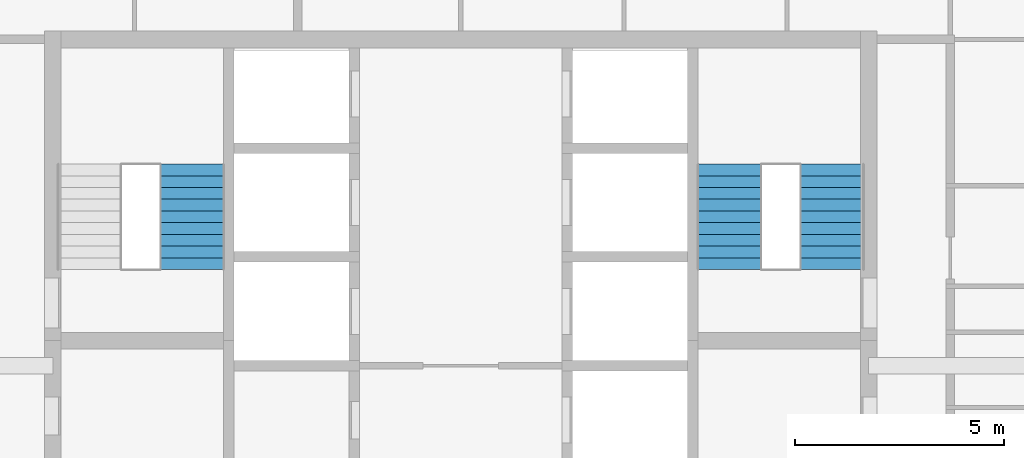
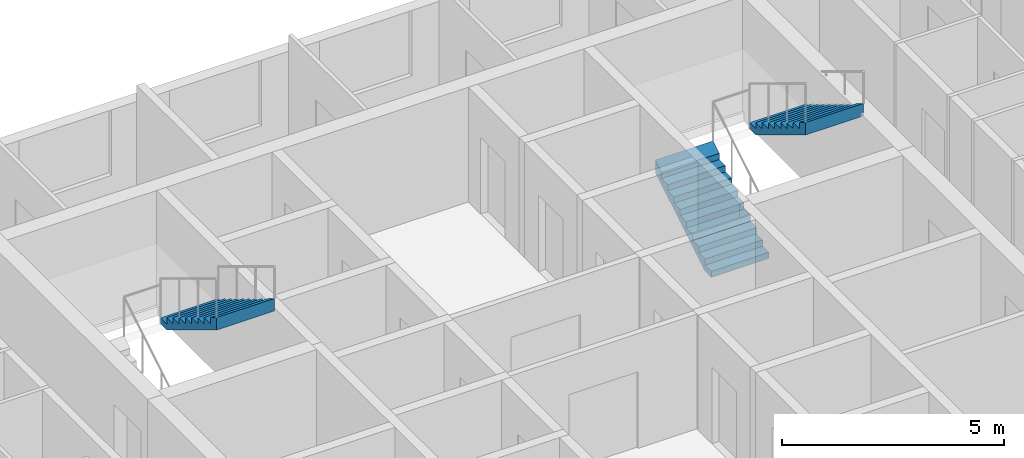
# One storey, part 14 of 17: 3 stair flights, 2 elements without a shape of their own.
"""IFC4 building model written with IfcOpenShell, lengths in metres."""

from ifc_helpers import new_model, si_unit, direction, frame, origin, place, context, subcontext, project, spatial, triangles, material, type_object, element, aggregate, save


model = new_model("IFC4")

# Units and contexts
model_context = context("Model", 3, precision=1e-05, world=origin(), true_north=direction((0.0, 1.0)))
body_context = subcontext(model_context, "Body", "Model", "MODEL_VIEW")
ifc_project = project(units=[si_unit("LENGTHUNIT", "METRE"), si_unit("AREAUNIT", "SQUARE_METRE"), si_unit("VOLUMEUNIT", "CUBIC_METRE"), si_unit("PLANEANGLEUNIT", "RADIAN"), si_unit("MASSUNIT", "GRAM", prefix="KILO")], contexts=[model_context])

# Site, building, storey
site_placement = place(None, origin())
site = spatial("IfcSite", under=ifc_project, at=site_placement, CompositionType="ELEMENT")
building_placement = place(site_placement, origin())
building = spatial("IfcBuilding", under=site, at=building_placement, Name="Ludao Terraces", CompositionType="ELEMENT")
storey_placement = place(building_placement, frame((0.0, 0.0, 210.89990234375)))
storey = spatial("IfcBuildingStorey", under=building, at=storey_placement, Name="L57", CompositionType="ELEMENT", Elevation=210.89990234375)

# Stair, stair flight
ifc_material = material(Name="Concrete C40", Category="concrete")
stair_type = type_object("IfcStairType", Name="INT Stair", PredefinedType="HALF_TURN_STAIR", material=ifc_material)
stair_1_placement = place(storey_placement, origin())
stair_1 = element("IfcStair", 1, at=stair_1_placement, inside=storey, type_object=stair_type, Name="EXIT STAIR 1", PredefinedType="HALF_TURN_STAIR")
stair_flight_type = type_object("IfcStairFlightType", Name="INT Stair flight", PredefinedType="STRAIGHT", material=ifc_material)
stair_flight_1_placement = place(storey_placement, frame((78.574951171875, 81.52001953125, 1.7001953125), z_axis=(0.0, 0.0, 1.0), x_axis=(0.0, -1.0, 0.0)))
stair_flight_1 = element("IfcStairFlight", 2, at=stair_flight_1_placement, type_object=stair_flight_type, Name="ST1 flight 2", NumberOfRisers=10, NumberOfTreads=9, PredefinedType="STRAIGHT", RiserHeight=0.17, TreadLength=0.28, context=body_context, shape_type="Tessellation", body=[
    triangles([(0.0, -0.75, 0.0), (0.0, -0.5, 0.0), (0.0, -0.25, 0.0), (0.0, 0.0, 0.0), (0.0, 0.25, 0.0), (0.0, 0.5, 0.0), (0.0, 0.75, 0.0), (0.0, -0.75, 0.169921875), (0.0, -0.5, 0.169921875), (0.0, -0.25, 0.169921875), (0.0, 0.0, 0.169921875), (0.0, 0.25, 0.169921875), (0.0, 0.5, 0.169921875), (0.0, 0.75, 0.169921875), (0.280029296875, -0.75, 0.169921875), (0.280029296875, -0.5, 0.169921875), (0.280029296875, -0.25, 0.169921875), (0.280029296875, 0.0, 0.169921875), (0.280029296875, 0.25, 0.169921875), (0.280029296875, 0.5, 0.169921875), (0.280029296875, 0.75, 0.169921875), (0.280029296875, -0.75, 0.340087890625), (0.280029296875, -0.5, 0.340087890625), (0.280029296875, -0.25, 0.340087890625), (0.280029296875, 0.0, 0.340087890625), (0.280029296875, 0.25, 0.340087890625), (0.280029296875, 0.5, 0.340087890625), (0.280029296875, 0.75, 0.340087890625), (0.56005859375, -0.75, 0.340087890625), (0.56005859375, -0.5, 0.340087890625), (0.56005859375, -0.25, 0.340087890625), (0.56005859375, 0.0, 0.340087890625), (0.56005859375, 0.25, 0.340087890625), (0.56005859375, 0.5, 0.340087890625), (0.56005859375, 0.75, 0.340087890625), (0.56005859375, -0.75, 0.510009765625), (0.56005859375, -0.5, 0.510009765625), (0.56005859375, -0.25, 0.510009765625), (0.56005859375, 0.0, 0.510009765625), (0.56005859375, 0.25, 0.510009765625), (0.56005859375, 0.5, 0.510009765625), (0.56005859375, 0.75, 0.510009765625), (0.840087890625, -0.75, 0.510009765625), (0.840087890625, -0.5, 0.510009765625), (0.840087890625, -0.25, 0.510009765625), (0.840087890625, 0.0, 0.510009765625), (0.840087890625, 0.25, 0.510009765625), (0.840087890625, 0.5, 0.510009765625), (0.840087890625, 0.75, 0.510009765625), (0.840087890625, -0.75, 0.679931640625), (0.840087890625, -0.5, 0.679931640625), (0.840087890625, -0.25, 0.679931640625), (0.840087890625, 0.0, 0.679931640625), (0.840087890625, 0.25, 0.679931640625), (0.840087890625, 0.5, 0.679931640625), (0.840087890625, 0.75, 0.679931640625), (1.1201171875, -0.75, 0.679931640625), (1.1201171875, -0.5, 0.679931640625), (1.1201171875, -0.25, 0.679931640625), (1.1201171875, 0.0, 0.679931640625), (1.1201171875, 0.25, 0.679931640625), (1.1201171875, 0.5, 0.679931640625), (1.1201171875, 0.75, 0.679931640625), (1.1201171875, -0.75, 0.85009765625), (1.1201171875, -0.5, 0.85009765625), (1.1201171875, -0.25, 0.85009765625), (1.1201171875, 0.0, 0.85009765625), (1.1201171875, 0.25, 0.85009765625), (1.1201171875, 0.5, 0.85009765625), (1.1201171875, 0.75, 0.85009765625), (1.39990234375, -0.75, 0.85009765625), (1.39990234375, -0.5, 0.85009765625), (1.39990234375, -0.25, 0.85009765625), (1.39990234375, 0.0, 0.85009765625), (1.39990234375, 0.25, 0.85009765625), (1.39990234375, 0.5, 0.85009765625), (1.39990234375, 0.75, 0.85009765625), (1.39990234375, -0.75, 1.02001953125), (1.39990234375, -0.5, 1.02001953125), (1.39990234375, -0.25, 1.02001953125), (1.39990234375, 0.0, 1.02001953125), (1.39990234375, 0.25, 1.02001953125), (1.39990234375, 0.5, 1.02001953125), (1.39990234375, 0.75, 1.02001953125), (1.679931640625, -0.75, 1.02001953125), (1.679931640625, -0.5, 1.02001953125), (1.679931640625, -0.25, 1.02001953125), (1.679931640625, 0.0, 1.02001953125), (1.679931640625, 0.25, 1.02001953125), (1.679931640625, 0.5, 1.02001953125), (1.679931640625, 0.75, 1.02001953125), (1.679931640625, -0.75, 1.18994140625), (1.679931640625, -0.5, 1.18994140625), (1.679931640625, -0.25, 1.18994140625), (1.679931640625, 0.0, 1.18994140625), (1.679931640625, 0.25, 1.18994140625), (1.679931640625, 0.5, 1.18994140625), (1.679931640625, 0.75, 1.18994140625), (1.9599609375, -0.75, 1.18994140625), (1.9599609375, -0.5, 1.18994140625), (1.9599609375, -0.25, 1.18994140625), (1.9599609375, 0.0, 1.18994140625), (1.9599609375, 0.25, 1.18994140625), (1.9599609375, 0.5, 1.18994140625), (1.9599609375, 0.75, 1.18994140625), (1.9599609375, -0.75, 1.360107421875), (1.9599609375, -0.5, 1.360107421875), (1.9599609375, -0.25, 1.360107421875), (1.9599609375, 0.0, 1.360107421875), (1.9599609375, 0.25, 1.360107421875), (1.9599609375, 0.5, 1.360107421875), (1.9599609375, 0.75, 1.360107421875), (2.239990234375, -0.75, 1.360107421875), (2.239990234375, -0.5, 1.360107421875), (2.239990234375, -0.25, 1.360107421875), (2.239990234375, 0.0, 1.360107421875), (2.239990234375, 0.25, 1.360107421875), (2.239990234375, 0.5, 1.360107421875), (2.239990234375, 0.75, 1.360107421875), (2.239990234375, -0.75, 1.530029296875), (2.239990234375, -0.5, 1.530029296875), (2.239990234375, -0.25, 1.530029296875), (2.239990234375, 0.0, 1.530029296875), (2.239990234375, 0.25, 1.530029296875), (2.239990234375, 0.5, 1.530029296875), (2.239990234375, 0.75, 1.530029296875), (2.52001953125, -0.75, 1.699951171875), (2.52001953125, -0.5, 1.699951171875), (2.52001953125, -0.25, 1.699951171875), (2.52001953125, 0.0, 1.699951171875), (2.52001953125, 0.25, 1.699951171875), (2.52001953125, 0.5, 1.699951171875), (2.52001953125, 0.75, 1.699951171875), (2.52001953125, -0.75, 1.354736328125), (2.52001953125, -0.5, 1.354736328125), (2.52001953125, -0.25, 1.354736328125), (2.52001953125, 0.0, 1.354736328125), (2.52001953125, 0.25, 1.354736328125), (2.52001953125, 0.5, 1.354736328125), (2.52001953125, 0.75, 1.354736328125), (0.288818359375, -0.75, 0.0), (0.288818359375, -0.5, 0.0), (0.288818359375, -0.25, 0.0), (0.288818359375, 0.0, 0.0), (0.288818359375, 0.25, 0.0), (0.288818359375, 0.5, 0.0), (0.288818359375, 0.75, 0.0)], [[1, 141, 134], [7, 140, 147], [134, 127, 120], [140, 126, 133], [134, 120, 113], [140, 119, 126], [134, 113, 106], [140, 112, 119], [134, 106, 99], [140, 105, 112], [99, 92, 85], [105, 91, 98], [134, 99, 85], [140, 91, 105], [85, 78, 71], [91, 77, 84], [134, 85, 71], [140, 77, 91], [71, 64, 57], [77, 63, 70], [134, 71, 57], [140, 63, 77], [57, 50, 43], [63, 49, 56], [134, 57, 43], [140, 49, 63], [43, 36, 29], [49, 35, 42], [134, 43, 29], [140, 35, 49], [29, 22, 15], [35, 21, 28], [134, 29, 15], [140, 21, 35], [1, 134, 15], [7, 21, 140], [15, 8, 1], [21, 7, 14], [1, 9, 2], [1, 8, 9], [2, 10, 3], [2, 9, 10], [3, 11, 4], [3, 10, 11], [4, 12, 5], [4, 11, 12], [5, 13, 6], [5, 12, 13], [6, 14, 7], [6, 13, 14], [8, 16, 9], [8, 15, 16], [9, 17, 10], [9, 16, 17], [10, 18, 11], [10, 17, 18], [11, 19, 12], [11, 18, 19], [12, 20, 13], [12, 19, 20], [13, 21, 14], [13, 20, 21], [15, 23, 16], [15, 22, 23], [16, 24, 17], [16, 23, 24], [17, 25, 18], [17, 24, 25], [18, 26, 19], [18, 25, 26], [19, 27, 20], [19, 26, 27], [20, 28, 21], [20, 27, 28], [22, 30, 23], [22, 29, 30], [23, 31, 24], [23, 30, 31], [24, 32, 25], [24, 31, 32], [25, 33, 26], [25, 32, 33], [26, 34, 27], [26, 33, 34], [27, 35, 28], [27, 34, 35], [29, 37, 30], [29, 36, 37], [30, 38, 31], [30, 37, 38], [31, 39, 32], [31, 38, 39], [32, 40, 33], [32, 39, 40], [33, 41, 34], [33, 40, 41], [34, 42, 35], [34, 41, 42], [36, 44, 37], [36, 43, 44], [37, 45, 38], [37, 44, 45], [38, 46, 39], [38, 45, 46], [39, 47, 40], [39, 46, 47], [40, 48, 41], [40, 47, 48], [41, 49, 42], [41, 48, 49], [43, 51, 44], [43, 50, 51], [44, 52, 45], [44, 51, 52], [45, 53, 46], [45, 52, 53], [46, 54, 47], [46, 53, 54], [47, 55, 48], [47, 54, 55], [48, 56, 49], [48, 55, 56], [50, 58, 51], [50, 57, 58], [51, 59, 52], [51, 58, 59], [52, 60, 53], [52, 59, 60], [53, 61, 54], [53, 60, 61], [54, 62, 55], [54, 61, 62], [55, 63, 56], [55, 62, 63], [57, 65, 58], [57, 64, 65], [58, 66, 59], [58, 65, 66], [59, 67, 60], [59, 66, 67], [60, 68, 61], [60, 67, 68], [61, 69, 62], [61, 68, 69], [62, 70, 63], [62, 69, 70], [64, 72, 65], [64, 71, 72], [65, 73, 66], [65, 72, 73], [66, 74, 67], [66, 73, 74], [67, 75, 68], [67, 74, 75], [68, 76, 69], [68, 75, 76], [69, 77, 70], [69, 76, 77], [71, 79, 72], [71, 78, 79], [72, 80, 73], [72, 79, 80], [73, 81, 74], [73, 80, 81], [74, 82, 75], [74, 81, 82], [75, 83, 76], [75, 82, 83], [76, 84, 77], [76, 83, 84], [78, 86, 79], [78, 85, 86], [79, 87, 80], [79, 86, 87], [80, 88, 81], [80, 87, 88], [81, 89, 82], [81, 88, 89], [82, 90, 83], [82, 89, 90], [83, 91, 84], [83, 90, 91], [85, 93, 86], [85, 92, 93], [86, 94, 87], [86, 93, 94], [87, 95, 88], [87, 94, 95], [88, 96, 89], [88, 95, 96], [89, 97, 90], [89, 96, 97], [90, 98, 91], [90, 97, 98], [92, 100, 93], [92, 99, 100], [93, 101, 94], [93, 100, 101], [94, 102, 95], [94, 101, 102], [95, 103, 96], [95, 102, 103], [96, 104, 97], [96, 103, 104], [97, 105, 98], [97, 104, 105], [99, 107, 100], [99, 106, 107], [100, 108, 101], [100, 107, 108], [101, 109, 102], [101, 108, 109], [102, 110, 103], [102, 109, 110], [103, 111, 104], [103, 110, 111], [104, 112, 105], [104, 111, 112], [106, 114, 107], [106, 113, 114], [107, 115, 108], [107, 114, 115], [108, 116, 109], [108, 115, 116], [109, 117, 110], [109, 116, 117], [110, 118, 111], [110, 117, 118], [111, 119, 112], [111, 118, 119], [113, 121, 114], [113, 120, 121], [114, 122, 115], [114, 121, 122], [115, 123, 116], [115, 122, 123], [116, 124, 117], [116, 123, 124], [117, 125, 118], [117, 124, 125], [118, 126, 119], [118, 125, 126], [120, 128, 121], [120, 127, 128], [121, 129, 122], [121, 128, 129], [122, 130, 123], [122, 129, 130], [123, 131, 124], [123, 130, 131], [124, 132, 125], [124, 131, 132], [125, 133, 126], [125, 132, 133], [127, 135, 128], [127, 134, 135], [128, 136, 129], [128, 135, 136], [129, 137, 130], [129, 136, 137], [130, 138, 131], [130, 137, 138], [131, 139, 132], [131, 138, 139], [132, 140, 133], [132, 139, 140], [134, 142, 135], [134, 141, 142], [135, 143, 136], [135, 142, 143], [136, 144, 137], [136, 143, 144], [137, 145, 138], [137, 144, 145], [138, 146, 139], [138, 145, 146], [139, 147, 140], [139, 146, 147], [141, 2, 142], [141, 1, 2], [142, 3, 143], [142, 2, 3], [143, 4, 144], [143, 3, 4], [144, 5, 145], [144, 4, 5], [145, 6, 146], [145, 5, 6], [146, 7, 147], [146, 6, 7]], closed=True),
])
aggregate(stair_1, [stair_flight_1])

# Stair, stair flights
stair_2_placement = place(storey_placement, origin())
stair_2 = element("IfcStair", 3, at=stair_2_placement, inside=storey, type_object=stair_type, Name="EXIT STAIR 2", PredefinedType="HALF_TURN_STAIR")
stair_flight_2_placement = place(storey_placement, frame((91.425048828125, 79.0, 0.0), z_axis=(0.0, 0.0, 1.0), x_axis=(0.0, 1.0, 0.0)))
stair_flight_2 = element("IfcStairFlight", 4, at=stair_flight_2_placement, type_object=stair_flight_type, Name="ST2 flight 1", NumberOfRisers=10, NumberOfTreads=9, PredefinedType="STRAIGHT", RiserHeight=0.17, TreadLength=0.28, context=body_context, shape_type="Tessellation", body=[
    triangles([(0.0, -0.75, 0.0), (0.0, -0.5, 0.0), (0.0, -0.25, 0.0), (0.0, 0.0, 0.0), (0.0, 0.25, 0.0), (0.0, 0.5, 0.0), (0.0, 0.75, 0.0), (0.0, -0.75, 0.169921875), (0.0, -0.5, 0.169921875), (0.0, -0.25, 0.169921875), (0.0, 0.0, 0.169921875), (0.0, 0.25, 0.169921875), (0.0, 0.5, 0.169921875), (0.0, 0.75, 0.169921875), (0.280029296875, -0.75, 0.169921875), (0.280029296875, -0.5, 0.169921875), (0.280029296875, -0.25, 0.169921875), (0.280029296875, 0.0, 0.169921875), (0.280029296875, 0.25, 0.169921875), (0.280029296875, 0.5, 0.169921875), (0.280029296875, 0.75, 0.169921875), (0.280029296875, -0.75, 0.340087890625), (0.280029296875, -0.5, 0.340087890625), (0.280029296875, -0.25, 0.340087890625), (0.280029296875, 0.0, 0.340087890625), (0.280029296875, 0.25, 0.340087890625), (0.280029296875, 0.5, 0.340087890625), (0.280029296875, 0.75, 0.340087890625), (0.56005859375, -0.75, 0.340087890625), (0.56005859375, -0.5, 0.340087890625), (0.56005859375, -0.25, 0.340087890625), (0.56005859375, 0.0, 0.340087890625), (0.56005859375, 0.25, 0.340087890625), (0.56005859375, 0.5, 0.340087890625), (0.56005859375, 0.75, 0.340087890625), (0.56005859375, -0.75, 0.510009765625), (0.56005859375, -0.5, 0.510009765625), (0.56005859375, -0.25, 0.510009765625), (0.56005859375, 0.0, 0.510009765625), (0.56005859375, 0.25, 0.510009765625), (0.56005859375, 0.5, 0.510009765625), (0.56005859375, 0.75, 0.510009765625), (0.840087890625, -0.75, 0.510009765625), (0.840087890625, -0.5, 0.510009765625), (0.840087890625, -0.25, 0.510009765625), (0.840087890625, 0.0, 0.510009765625), (0.840087890625, 0.25, 0.510009765625), (0.840087890625, 0.5, 0.510009765625), (0.840087890625, 0.75, 0.510009765625), (0.840087890625, -0.75, 0.679931640625), (0.840087890625, -0.5, 0.679931640625), (0.840087890625, -0.25, 0.679931640625), (0.840087890625, 0.0, 0.679931640625), (0.840087890625, 0.25, 0.679931640625), (0.840087890625, 0.5, 0.679931640625), (0.840087890625, 0.75, 0.679931640625), (1.1201171875, -0.75, 0.679931640625), (1.1201171875, -0.5, 0.679931640625), (1.1201171875, -0.25, 0.679931640625), (1.1201171875, 0.0, 0.679931640625), (1.1201171875, 0.25, 0.679931640625), (1.1201171875, 0.5, 0.679931640625), (1.1201171875, 0.75, 0.679931640625), (1.1201171875, -0.75, 0.85009765625), (1.1201171875, -0.5, 0.85009765625), (1.1201171875, -0.25, 0.85009765625), (1.1201171875, 0.0, 0.85009765625), (1.1201171875, 0.25, 0.85009765625), (1.1201171875, 0.5, 0.85009765625), (1.1201171875, 0.75, 0.85009765625), (1.39990234375, -0.75, 0.85009765625), (1.39990234375, -0.5, 0.85009765625), (1.39990234375, -0.25, 0.85009765625), (1.39990234375, 0.0, 0.85009765625), (1.39990234375, 0.25, 0.85009765625), (1.39990234375, 0.5, 0.85009765625), (1.39990234375, 0.75, 0.85009765625), (1.39990234375, -0.75, 1.02001953125), (1.39990234375, -0.5, 1.02001953125), (1.39990234375, -0.25, 1.02001953125), (1.39990234375, 0.0, 1.02001953125), (1.39990234375, 0.25, 1.02001953125), (1.39990234375, 0.5, 1.02001953125), (1.39990234375, 0.75, 1.02001953125), (1.679931640625, -0.75, 1.02001953125), (1.679931640625, -0.5, 1.02001953125), (1.679931640625, -0.25, 1.02001953125), (1.679931640625, 0.0, 1.02001953125), (1.679931640625, 0.25, 1.02001953125), (1.679931640625, 0.5, 1.02001953125), (1.679931640625, 0.75, 1.02001953125), (1.679931640625, -0.75, 1.18994140625), (1.679931640625, -0.5, 1.18994140625), (1.679931640625, -0.25, 1.18994140625), (1.679931640625, 0.0, 1.18994140625), (1.679931640625, 0.25, 1.18994140625), (1.679931640625, 0.5, 1.18994140625), (1.679931640625, 0.75, 1.18994140625), (1.9599609375, -0.75, 1.18994140625), (1.9599609375, -0.5, 1.18994140625), (1.9599609375, -0.25, 1.18994140625), (1.9599609375, 0.0, 1.18994140625), (1.9599609375, 0.25, 1.18994140625), (1.9599609375, 0.5, 1.18994140625), (1.9599609375, 0.75, 1.18994140625), (1.9599609375, -0.75, 1.360107421875), (1.9599609375, -0.5, 1.360107421875), (1.9599609375, -0.25, 1.360107421875), (1.9599609375, 0.0, 1.360107421875), (1.9599609375, 0.25, 1.360107421875), (1.9599609375, 0.5, 1.360107421875), (1.9599609375, 0.75, 1.360107421875), (2.239990234375, -0.75, 1.360107421875), (2.239990234375, -0.5, 1.360107421875), (2.239990234375, -0.25, 1.360107421875), (2.239990234375, 0.0, 1.360107421875), (2.239990234375, 0.25, 1.360107421875), (2.239990234375, 0.5, 1.360107421875), (2.239990234375, 0.75, 1.360107421875), (2.239990234375, -0.75, 1.530029296875), (2.239990234375, -0.5, 1.530029296875), (2.239990234375, -0.25, 1.530029296875), (2.239990234375, 0.0, 1.530029296875), (2.239990234375, 0.25, 1.530029296875), (2.239990234375, 0.5, 1.530029296875), (2.239990234375, 0.75, 1.530029296875), (2.52001953125, -0.75, 1.699951171875), (2.52001953125, -0.5, 1.699951171875), (2.52001953125, -0.25, 1.699951171875), (2.52001953125, 0.0, 1.699951171875), (2.52001953125, 0.25, 1.699951171875), (2.52001953125, 0.5, 1.699951171875), (2.52001953125, 0.75, 1.699951171875), (2.52001953125, -0.75, 1.354736328125), (2.52001953125, -0.5, 1.354736328125), (2.52001953125, -0.25, 1.354736328125), (2.52001953125, 0.0, 1.354736328125), (2.52001953125, 0.25, 1.354736328125), (2.52001953125, 0.5, 1.354736328125), (2.52001953125, 0.75, 1.354736328125), (0.288818359375, -0.75, 0.0), (0.288818359375, -0.5, 0.0), (0.288818359375, -0.25, 0.0), (0.288818359375, 0.0, 0.0), (0.288818359375, 0.25, 0.0), (0.288818359375, 0.5, 0.0), (0.288818359375, 0.75, 0.0)], [[1, 141, 134], [7, 140, 147], [134, 127, 120], [140, 126, 133], [134, 120, 113], [140, 119, 126], [134, 113, 106], [140, 112, 119], [134, 106, 99], [140, 105, 112], [99, 92, 85], [105, 91, 98], [134, 99, 85], [140, 91, 105], [85, 78, 71], [91, 77, 84], [134, 85, 71], [140, 77, 91], [71, 64, 57], [77, 63, 70], [134, 71, 57], [140, 63, 77], [57, 50, 43], [63, 49, 56], [134, 57, 43], [140, 49, 63], [43, 36, 29], [49, 35, 42], [134, 43, 29], [140, 35, 49], [29, 22, 15], [35, 21, 28], [134, 29, 15], [140, 21, 35], [1, 134, 15], [7, 21, 140], [15, 8, 1], [21, 7, 14], [1, 9, 2], [1, 8, 9], [2, 10, 3], [2, 9, 10], [3, 11, 4], [3, 10, 11], [4, 12, 5], [4, 11, 12], [5, 13, 6], [5, 12, 13], [6, 14, 7], [6, 13, 14], [8, 16, 9], [8, 15, 16], [9, 17, 10], [9, 16, 17], [10, 18, 11], [10, 17, 18], [11, 19, 12], [11, 18, 19], [12, 20, 13], [12, 19, 20], [13, 21, 14], [13, 20, 21], [15, 23, 16], [15, 22, 23], [16, 24, 17], [16, 23, 24], [17, 25, 18], [17, 24, 25], [18, 26, 19], [18, 25, 26], [19, 27, 20], [19, 26, 27], [20, 28, 21], [20, 27, 28], [22, 30, 23], [22, 29, 30], [23, 31, 24], [23, 30, 31], [24, 32, 25], [24, 31, 32], [25, 33, 26], [25, 32, 33], [26, 34, 27], [26, 33, 34], [27, 35, 28], [27, 34, 35], [29, 37, 30], [29, 36, 37], [30, 38, 31], [30, 37, 38], [31, 39, 32], [31, 38, 39], [32, 40, 33], [32, 39, 40], [33, 41, 34], [33, 40, 41], [34, 42, 35], [34, 41, 42], [36, 44, 37], [36, 43, 44], [37, 45, 38], [37, 44, 45], [38, 46, 39], [38, 45, 46], [39, 47, 40], [39, 46, 47], [40, 48, 41], [40, 47, 48], [41, 49, 42], [41, 48, 49], [43, 51, 44], [43, 50, 51], [44, 52, 45], [44, 51, 52], [45, 53, 46], [45, 52, 53], [46, 54, 47], [46, 53, 54], [47, 55, 48], [47, 54, 55], [48, 56, 49], [48, 55, 56], [50, 58, 51], [50, 57, 58], [51, 59, 52], [51, 58, 59], [52, 60, 53], [52, 59, 60], [53, 61, 54], [53, 60, 61], [54, 62, 55], [54, 61, 62], [55, 63, 56], [55, 62, 63], [57, 65, 58], [57, 64, 65], [58, 66, 59], [58, 65, 66], [59, 67, 60], [59, 66, 67], [60, 68, 61], [60, 67, 68], [61, 69, 62], [61, 68, 69], [62, 70, 63], [62, 69, 70], [64, 72, 65], [64, 71, 72], [65, 73, 66], [65, 72, 73], [66, 74, 67], [66, 73, 74], [67, 75, 68], [67, 74, 75], [68, 76, 69], [68, 75, 76], [69, 77, 70], [69, 76, 77], [71, 79, 72], [71, 78, 79], [72, 80, 73], [72, 79, 80], [73, 81, 74], [73, 80, 81], [74, 82, 75], [74, 81, 82], [75, 83, 76], [75, 82, 83], [76, 84, 77], [76, 83, 84], [78, 86, 79], [78, 85, 86], [79, 87, 80], [79, 86, 87], [80, 88, 81], [80, 87, 88], [81, 89, 82], [81, 88, 89], [82, 90, 83], [82, 89, 90], [83, 91, 84], [83, 90, 91], [85, 93, 86], [85, 92, 93], [86, 94, 87], [86, 93, 94], [87, 95, 88], [87, 94, 95], [88, 96, 89], [88, 95, 96], [89, 97, 90], [89, 96, 97], [90, 98, 91], [90, 97, 98], [92, 100, 93], [92, 99, 100], [93, 101, 94], [93, 100, 101], [94, 102, 95], [94, 101, 102], [95, 103, 96], [95, 102, 103], [96, 104, 97], [96, 103, 104], [97, 105, 98], [97, 104, 105], [99, 107, 100], [99, 106, 107], [100, 108, 101], [100, 107, 108], [101, 109, 102], [101, 108, 109], [102, 110, 103], [102, 109, 110], [103, 111, 104], [103, 110, 111], [104, 112, 105], [104, 111, 112], [106, 114, 107], [106, 113, 114], [107, 115, 108], [107, 114, 115], [108, 116, 109], [108, 115, 116], [109, 117, 110], [109, 116, 117], [110, 118, 111], [110, 117, 118], [111, 119, 112], [111, 118, 119], [113, 121, 114], [113, 120, 121], [114, 122, 115], [114, 121, 122], [115, 123, 116], [115, 122, 123], [116, 124, 117], [116, 123, 124], [117, 125, 118], [117, 124, 125], [118, 126, 119], [118, 125, 126], [120, 128, 121], [120, 127, 128], [121, 129, 122], [121, 128, 129], [122, 130, 123], [122, 129, 130], [123, 131, 124], [123, 130, 131], [124, 132, 125], [124, 131, 132], [125, 133, 126], [125, 132, 133], [127, 135, 128], [127, 134, 135], [128, 136, 129], [128, 135, 136], [129, 137, 130], [129, 136, 137], [130, 138, 131], [130, 137, 138], [131, 139, 132], [131, 138, 139], [132, 140, 133], [132, 139, 140], [134, 142, 135], [134, 141, 142], [135, 143, 136], [135, 142, 143], [136, 144, 137], [136, 143, 144], [137, 145, 138], [137, 144, 145], [138, 146, 139], [138, 145, 146], [139, 147, 140], [139, 146, 147], [141, 2, 142], [141, 1, 2], [142, 3, 143], [142, 2, 3], [143, 4, 144], [143, 3, 4], [144, 5, 145], [144, 4, 5], [145, 6, 146], [145, 5, 6], [146, 7, 147], [146, 6, 7]], closed=True),
])
stair_flight_3_placement = place(storey_placement, frame((93.875, 81.52001953125, 1.7001953125), z_axis=(0.0, 0.0, 1.0), x_axis=(0.0, -1.0, 0.0)))
stair_flight_3 = element("IfcStairFlight", 5, at=stair_flight_3_placement, type_object=stair_flight_type, Name="ST2 flight 2", NumberOfRisers=10, NumberOfTreads=9, PredefinedType="STRAIGHT", RiserHeight=0.17, TreadLength=0.28, context=body_context, shape_type="Tessellation", body=[
    triangles([(0.0, -0.75, 0.0), (0.0, -0.5, 0.0), (0.0, -0.25, 0.0), (0.0, 0.0, 0.0), (0.0, 0.25, 0.0), (0.0, 0.5, 0.0), (0.0, 0.75, 0.0), (0.0, -0.75, 0.169921875), (0.0, -0.5, 0.169921875), (0.0, -0.25, 0.169921875), (0.0, 0.0, 0.169921875), (0.0, 0.25, 0.169921875), (0.0, 0.5, 0.169921875), (0.0, 0.75, 0.169921875), (0.280029296875, -0.75, 0.169921875), (0.280029296875, -0.5, 0.169921875), (0.280029296875, -0.25, 0.169921875), (0.280029296875, 0.0, 0.169921875), (0.280029296875, 0.25, 0.169921875), (0.280029296875, 0.5, 0.169921875), (0.280029296875, 0.75, 0.169921875), (0.280029296875, -0.75, 0.340087890625), (0.280029296875, -0.5, 0.340087890625), (0.280029296875, -0.25, 0.340087890625), (0.280029296875, 0.0, 0.340087890625), (0.280029296875, 0.25, 0.340087890625), (0.280029296875, 0.5, 0.340087890625), (0.280029296875, 0.75, 0.340087890625), (0.56005859375, -0.75, 0.340087890625), (0.56005859375, -0.5, 0.340087890625), (0.56005859375, -0.25, 0.340087890625), (0.56005859375, 0.0, 0.340087890625), (0.56005859375, 0.25, 0.340087890625), (0.56005859375, 0.5, 0.340087890625), (0.56005859375, 0.75, 0.340087890625), (0.56005859375, -0.75, 0.510009765625), (0.56005859375, -0.5, 0.510009765625), (0.56005859375, -0.25, 0.510009765625), (0.56005859375, 0.0, 0.510009765625), (0.56005859375, 0.25, 0.510009765625), (0.56005859375, 0.5, 0.510009765625), (0.56005859375, 0.75, 0.510009765625), (0.840087890625, -0.75, 0.510009765625), (0.840087890625, -0.5, 0.510009765625), (0.840087890625, -0.25, 0.510009765625), (0.840087890625, 0.0, 0.510009765625), (0.840087890625, 0.25, 0.510009765625), (0.840087890625, 0.5, 0.510009765625), (0.840087890625, 0.75, 0.510009765625), (0.840087890625, -0.75, 0.679931640625), (0.840087890625, -0.5, 0.679931640625), (0.840087890625, -0.25, 0.679931640625), (0.840087890625, 0.0, 0.679931640625), (0.840087890625, 0.25, 0.679931640625), (0.840087890625, 0.5, 0.679931640625), (0.840087890625, 0.75, 0.679931640625), (1.1201171875, -0.75, 0.679931640625), (1.1201171875, -0.5, 0.679931640625), (1.1201171875, -0.25, 0.679931640625), (1.1201171875, 0.0, 0.679931640625), (1.1201171875, 0.25, 0.679931640625), (1.1201171875, 0.5, 0.679931640625), (1.1201171875, 0.75, 0.679931640625), (1.1201171875, -0.75, 0.85009765625), (1.1201171875, -0.5, 0.85009765625), (1.1201171875, -0.25, 0.85009765625), (1.1201171875, 0.0, 0.85009765625), (1.1201171875, 0.25, 0.85009765625), (1.1201171875, 0.5, 0.85009765625), (1.1201171875, 0.75, 0.85009765625), (1.39990234375, -0.75, 0.85009765625), (1.39990234375, -0.5, 0.85009765625), (1.39990234375, -0.25, 0.85009765625), (1.39990234375, 0.0, 0.85009765625), (1.39990234375, 0.25, 0.85009765625), (1.39990234375, 0.5, 0.85009765625), (1.39990234375, 0.75, 0.85009765625), (1.39990234375, -0.75, 1.02001953125), (1.39990234375, -0.5, 1.02001953125), (1.39990234375, -0.25, 1.02001953125), (1.39990234375, 0.0, 1.02001953125), (1.39990234375, 0.25, 1.02001953125), (1.39990234375, 0.5, 1.02001953125), (1.39990234375, 0.75, 1.02001953125), (1.679931640625, -0.75, 1.02001953125), (1.679931640625, -0.5, 1.02001953125), (1.679931640625, -0.25, 1.02001953125), (1.679931640625, 0.0, 1.02001953125), (1.679931640625, 0.25, 1.02001953125), (1.679931640625, 0.5, 1.02001953125), (1.679931640625, 0.75, 1.02001953125), (1.679931640625, -0.75, 1.18994140625), (1.679931640625, -0.5, 1.18994140625), (1.679931640625, -0.25, 1.18994140625), (1.679931640625, 0.0, 1.18994140625), (1.679931640625, 0.25, 1.18994140625), (1.679931640625, 0.5, 1.18994140625), (1.679931640625, 0.75, 1.18994140625), (1.9599609375, -0.75, 1.18994140625), (1.9599609375, -0.5, 1.18994140625), (1.9599609375, -0.25, 1.18994140625), (1.9599609375, 0.0, 1.18994140625), (1.9599609375, 0.25, 1.18994140625), (1.9599609375, 0.5, 1.18994140625), (1.9599609375, 0.75, 1.18994140625), (1.9599609375, -0.75, 1.360107421875), (1.9599609375, -0.5, 1.360107421875), (1.9599609375, -0.25, 1.360107421875), (1.9599609375, 0.0, 1.360107421875), (1.9599609375, 0.25, 1.360107421875), (1.9599609375, 0.5, 1.360107421875), (1.9599609375, 0.75, 1.360107421875), (2.239990234375, -0.75, 1.360107421875), (2.239990234375, -0.5, 1.360107421875), (2.239990234375, -0.25, 1.360107421875), (2.239990234375, 0.0, 1.360107421875), (2.239990234375, 0.25, 1.360107421875), (2.239990234375, 0.5, 1.360107421875), (2.239990234375, 0.75, 1.360107421875), (2.239990234375, -0.75, 1.530029296875), (2.239990234375, -0.5, 1.530029296875), (2.239990234375, -0.25, 1.530029296875), (2.239990234375, 0.0, 1.530029296875), (2.239990234375, 0.25, 1.530029296875), (2.239990234375, 0.5, 1.530029296875), (2.239990234375, 0.75, 1.530029296875), (2.52001953125, -0.75, 1.699951171875), (2.52001953125, -0.5, 1.699951171875), (2.52001953125, -0.25, 1.699951171875), (2.52001953125, 0.0, 1.699951171875), (2.52001953125, 0.25, 1.699951171875), (2.52001953125, 0.5, 1.699951171875), (2.52001953125, 0.75, 1.699951171875), (2.52001953125, -0.75, 1.354736328125), (2.52001953125, -0.5, 1.354736328125), (2.52001953125, -0.25, 1.354736328125), (2.52001953125, 0.0, 1.354736328125), (2.52001953125, 0.25, 1.354736328125), (2.52001953125, 0.5, 1.354736328125), (2.52001953125, 0.75, 1.354736328125), (0.288818359375, -0.75, 0.0), (0.288818359375, -0.5, 0.0), (0.288818359375, -0.25, 0.0), (0.288818359375, 0.0, 0.0), (0.288818359375, 0.25, 0.0), (0.288818359375, 0.5, 0.0), (0.288818359375, 0.75, 0.0)], [[1, 141, 134], [7, 140, 147], [134, 127, 120], [140, 126, 133], [134, 120, 113], [140, 119, 126], [134, 113, 106], [140, 112, 119], [134, 106, 99], [140, 105, 112], [99, 92, 85], [105, 91, 98], [134, 99, 85], [140, 91, 105], [85, 78, 71], [91, 77, 84], [134, 85, 71], [140, 77, 91], [71, 64, 57], [77, 63, 70], [134, 71, 57], [140, 63, 77], [57, 50, 43], [63, 49, 56], [134, 57, 43], [140, 49, 63], [43, 36, 29], [49, 35, 42], [134, 43, 29], [140, 35, 49], [29, 22, 15], [35, 21, 28], [134, 29, 15], [140, 21, 35], [1, 134, 15], [7, 21, 140], [15, 8, 1], [21, 7, 14], [1, 9, 2], [1, 8, 9], [2, 10, 3], [2, 9, 10], [3, 11, 4], [3, 10, 11], [4, 12, 5], [4, 11, 12], [5, 13, 6], [5, 12, 13], [6, 14, 7], [6, 13, 14], [8, 16, 9], [8, 15, 16], [9, 17, 10], [9, 16, 17], [10, 18, 11], [10, 17, 18], [11, 19, 12], [11, 18, 19], [12, 20, 13], [12, 19, 20], [13, 21, 14], [13, 20, 21], [15, 23, 16], [15, 22, 23], [16, 24, 17], [16, 23, 24], [17, 25, 18], [17, 24, 25], [18, 26, 19], [18, 25, 26], [19, 27, 20], [19, 26, 27], [20, 28, 21], [20, 27, 28], [22, 30, 23], [22, 29, 30], [23, 31, 24], [23, 30, 31], [24, 32, 25], [24, 31, 32], [25, 33, 26], [25, 32, 33], [26, 34, 27], [26, 33, 34], [27, 35, 28], [27, 34, 35], [29, 37, 30], [29, 36, 37], [30, 38, 31], [30, 37, 38], [31, 39, 32], [31, 38, 39], [32, 40, 33], [32, 39, 40], [33, 41, 34], [33, 40, 41], [34, 42, 35], [34, 41, 42], [36, 44, 37], [36, 43, 44], [37, 45, 38], [37, 44, 45], [38, 46, 39], [38, 45, 46], [39, 47, 40], [39, 46, 47], [40, 48, 41], [40, 47, 48], [41, 49, 42], [41, 48, 49], [43, 51, 44], [43, 50, 51], [44, 52, 45], [44, 51, 52], [45, 53, 46], [45, 52, 53], [46, 54, 47], [46, 53, 54], [47, 55, 48], [47, 54, 55], [48, 56, 49], [48, 55, 56], [50, 58, 51], [50, 57, 58], [51, 59, 52], [51, 58, 59], [52, 60, 53], [52, 59, 60], [53, 61, 54], [53, 60, 61], [54, 62, 55], [54, 61, 62], [55, 63, 56], [55, 62, 63], [57, 65, 58], [57, 64, 65], [58, 66, 59], [58, 65, 66], [59, 67, 60], [59, 66, 67], [60, 68, 61], [60, 67, 68], [61, 69, 62], [61, 68, 69], [62, 70, 63], [62, 69, 70], [64, 72, 65], [64, 71, 72], [65, 73, 66], [65, 72, 73], [66, 74, 67], [66, 73, 74], [67, 75, 68], [67, 74, 75], [68, 76, 69], [68, 75, 76], [69, 77, 70], [69, 76, 77], [71, 79, 72], [71, 78, 79], [72, 80, 73], [72, 79, 80], [73, 81, 74], [73, 80, 81], [74, 82, 75], [74, 81, 82], [75, 83, 76], [75, 82, 83], [76, 84, 77], [76, 83, 84], [78, 86, 79], [78, 85, 86], [79, 87, 80], [79, 86, 87], [80, 88, 81], [80, 87, 88], [81, 89, 82], [81, 88, 89], [82, 90, 83], [82, 89, 90], [83, 91, 84], [83, 90, 91], [85, 93, 86], [85, 92, 93], [86, 94, 87], [86, 93, 94], [87, 95, 88], [87, 94, 95], [88, 96, 89], [88, 95, 96], [89, 97, 90], [89, 96, 97], [90, 98, 91], [90, 97, 98], [92, 100, 93], [92, 99, 100], [93, 101, 94], [93, 100, 101], [94, 102, 95], [94, 101, 102], [95, 103, 96], [95, 102, 103], [96, 104, 97], [96, 103, 104], [97, 105, 98], [97, 104, 105], [99, 107, 100], [99, 106, 107], [100, 108, 101], [100, 107, 108], [101, 109, 102], [101, 108, 109], [102, 110, 103], [102, 109, 110], [103, 111, 104], [103, 110, 111], [104, 112, 105], [104, 111, 112], [106, 114, 107], [106, 113, 114], [107, 115, 108], [107, 114, 115], [108, 116, 109], [108, 115, 116], [109, 117, 110], [109, 116, 117], [110, 118, 111], [110, 117, 118], [111, 119, 112], [111, 118, 119], [113, 121, 114], [113, 120, 121], [114, 122, 115], [114, 121, 122], [115, 123, 116], [115, 122, 123], [116, 124, 117], [116, 123, 124], [117, 125, 118], [117, 124, 125], [118, 126, 119], [118, 125, 126], [120, 128, 121], [120, 127, 128], [121, 129, 122], [121, 128, 129], [122, 130, 123], [122, 129, 130], [123, 131, 124], [123, 130, 131], [124, 132, 125], [124, 131, 132], [125, 133, 126], [125, 132, 133], [127, 135, 128], [127, 134, 135], [128, 136, 129], [128, 135, 136], [129, 137, 130], [129, 136, 137], [130, 138, 131], [130, 137, 138], [131, 139, 132], [131, 138, 139], [132, 140, 133], [132, 139, 140], [134, 142, 135], [134, 141, 142], [135, 143, 136], [135, 142, 143], [136, 144, 137], [136, 143, 144], [137, 145, 138], [137, 144, 145], [138, 146, 139], [138, 145, 146], [139, 147, 140], [139, 146, 147], [141, 2, 142], [141, 1, 2], [142, 3, 143], [142, 2, 3], [143, 4, 144], [143, 3, 4], [144, 5, 145], [144, 4, 5], [145, 6, 146], [145, 5, 6], [146, 7, 147], [146, 6, 7]], closed=True),
])
aggregate(stair_2, [stair_flight_2, stair_flight_3])

save(model, "model.ifc")
